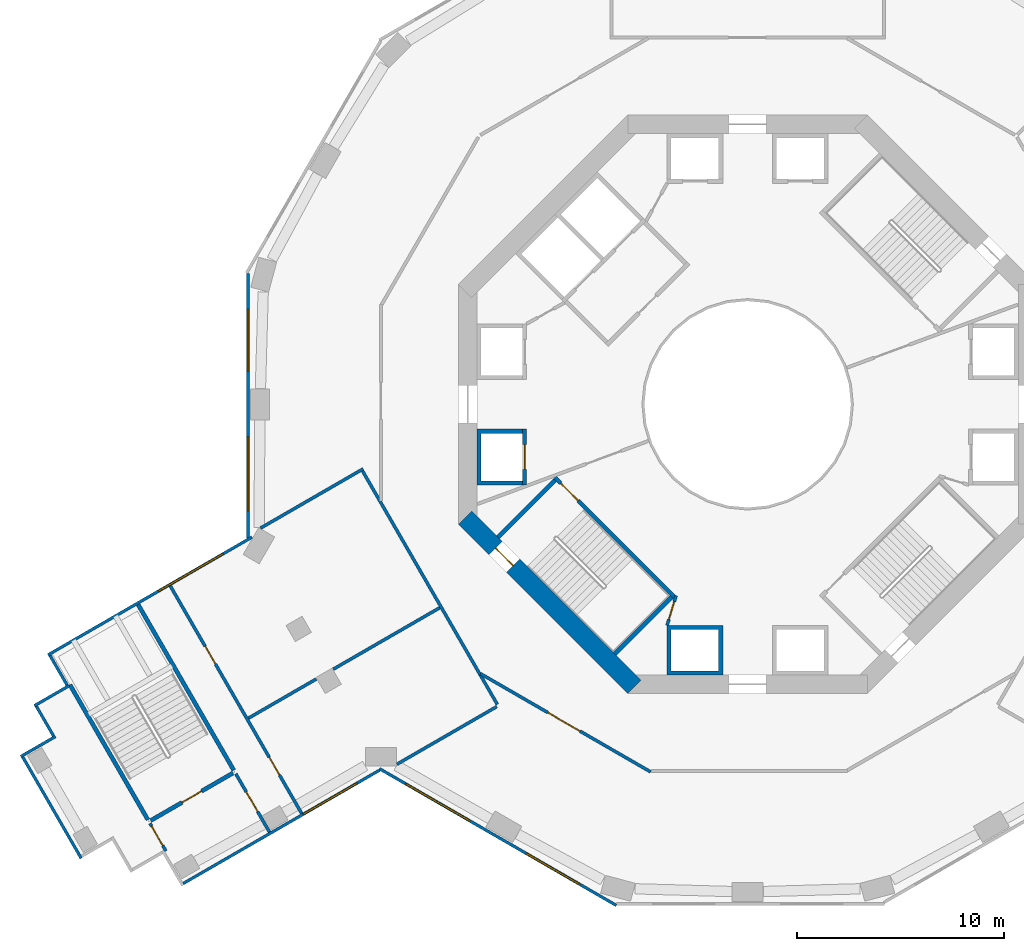
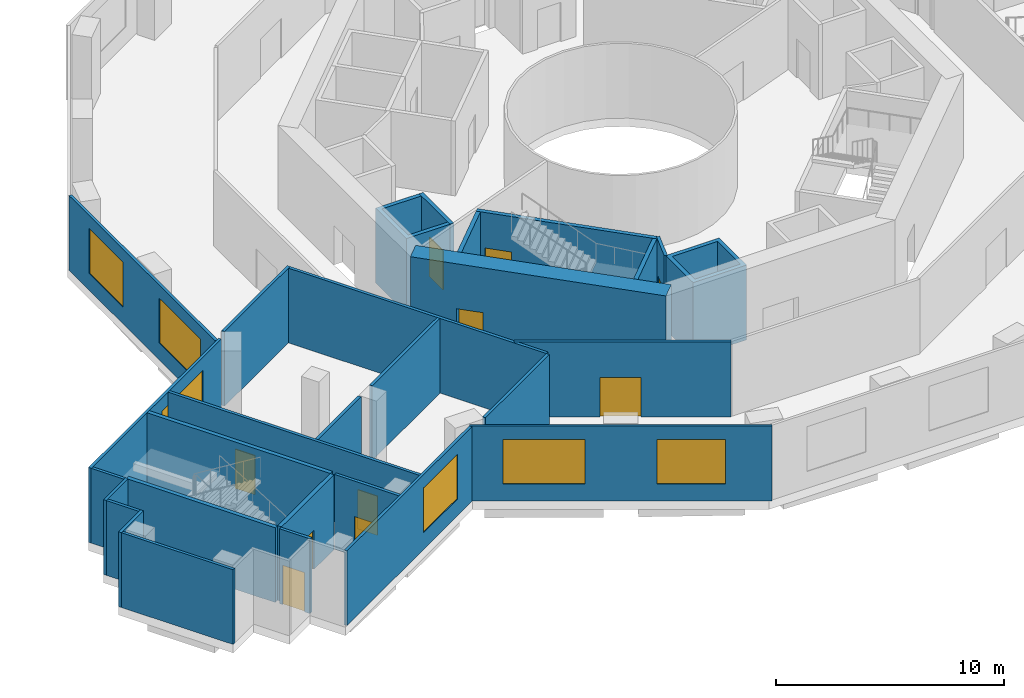
# One storey, part 3 of 20: 29 walls, 10 doors, 6 windows, 16 openings.
"""IFC4 building model written with IfcOpenShell, lengths in metres."""

from ifc_helpers import new_model, si_unit, direction, frame, frame_2d, origin, place, context, subcontext, project, spatial, polyline, rectangle, outline, extrude, material, layer, layer_set, type_object, element, fill, save


model = new_model("IFC4")

# Units and contexts
model_context = context("Model", 3, precision=1e-05, world=origin(), true_north=direction((0.0, 1.0)))
body_context = subcontext(model_context, "Body", "Model", "MODEL_VIEW")
ifc_project = project(units=[si_unit("LENGTHUNIT", "METRE"), si_unit("AREAUNIT", "SQUARE_METRE"), si_unit("VOLUMEUNIT", "CUBIC_METRE"), si_unit("PLANEANGLEUNIT", "RADIAN"), si_unit("MASSUNIT", "GRAM", prefix="KILO")], contexts=[model_context])

# Site, building, storey
site_placement = place(None, origin())
site = spatial("IfcSite", under=ifc_project, at=site_placement, CompositionType="ELEMENT")
building_placement = place(site_placement, origin())
building = spatial("IfcBuilding", under=site, at=building_placement, Name="Verdalira Terraces Hotel", CompositionType="ELEMENT")
storey_placement = place(building_placement, frame((0.0, 0.0, 23.5)))
storey = spatial("IfcBuildingStorey", under=building, at=storey_placement, Name="L04", CompositionType="ELEMENT", Elevation=23.5)

# Wall
ifc_material_1 = material(Name="Concrete C50", Category="concrete")
ifc_layer_1 = layer(ifc_material_1, 0.199951171875)
ifc_layer_set_1 = layer_set([ifc_layer_1], Name="Core RC wall 200 C50")
wall_type_1 = type_object("IfcWallType", Name="Core RC wall 200 C50", PredefinedType="SOLIDWALL", material=ifc_layer_set_1)
wall_1_placement = place(storey_placement, origin())
element("IfcWall", 1, at=wall_1_placement, inside=storey, type_object=wall_type_1, Name="L04 shaft wall W2", PredefinedType="SOLIDWALL", context=body_context, shape_type="SweptSolid", body=[
    extrude(outline(polyline([(-13.100098, -3.899902), (-13.100098, -1.199951), (-10.899902, -1.199951), (-10.899902, -1.399902), (-12.899902, -1.399902), (-12.899902, -3.699951), (-10.899902, -3.699951), (-10.899902, -3.899902), (-13.100098, -3.899902)])), origin(), (0.0, 0.0, 1.0), 4.0),
])

# Wall, opening, door
wall_2_placement = place(storey_placement, frame((-10.800049, -1.199951, 0.0), z_axis=(0.0, 0.0, 1.0), x_axis=(0.0, -1.0, 0.0)))
wall_2 = element("IfcWall", 2, at=wall_2_placement, inside=storey, type_object=wall_type_1, Name="L04 shaft front wall W2", PredefinedType="SOLIDWALL", context=body_context, shape_type="SweptSolid", body=[
    extrude(rectangle(XDim=2.699951, YDim=0.199951, at=frame_2d((1.350098, 0.0))), origin(), (0.0, 0.0, 1.0), 4.0),
])
opening_1_placement = place(wall_2_placement, frame((0.75, 0.0, 0.0)))
opening_1 = element("IfcOpeningElement", 3, at=opening_1_placement, cuts=wall_2, Name="Opening LD-L04-806", PredefinedType="OPENING", context=body_context, shape_type="SweptSolid", body=[
    extrude(rectangle(XDim=1.199951, YDim=2.100098, at=frame_2d((0.600098, 1.050049))), frame((0.0, 0.109863, 0.0), z_axis=(0.0, -1.0, 0.0), x_axis=(1.0, 0.0, 0.0)), (0.0, 0.0, 1.0), 0.219971),
])
ifc_material_2 = material(Name="Stainless steel", Category="steel")
door_type_1 = type_object("IfcDoorType", Name="Landing door 1200 x 2100", OperationType="NOTDEFINED", PredefinedType="DOOR", material=ifc_material_2)
door_1_placement = place(opening_1_placement, origin())
door_1 = element("IfcDoor", 4, at=door_1_placement, inside=storey, type_object=door_type_1, Name="Lift landing door LR6 L04", OperationType="DOUBLE_DOOR_SLIDING", OverallHeight=2.10009765625, OverallWidth=1.199951171875, PredefinedType="DOOR", context=body_context, shape_type="SweptSolid", body=[
    extrude(rectangle(XDim=1.199951, YDim=2.100098, at=frame_2d((0.600098, 1.050049))), frame((0.0, 0.024902, 0.0), z_axis=(0.0, -1.0, 0.0), x_axis=(1.0, 0.0, 0.0)), (0.0, 0.0, 1.0), 0.050049),
])
fill(opening_1, door_1)

# Wall
wall_3_placement = place(storey_placement, origin())
element("IfcWall", 5, at=wall_3_placement, inside=storey, type_object=wall_type_1, Name="L04 shaft wall S1", PredefinedType="SOLIDWALL", context=body_context, shape_type="SweptSolid", body=[
    extrude(outline(polyline([(-1.199951, -13.100098), (-3.899902, -13.100098), (-3.899902, -10.699951), (-1.199951, -10.699951), (-1.199951, -13.100098)]), holes=[polyline([(-3.699951, -10.899902), (-3.699951, -12.899902), (-1.399902, -12.899902), (-1.399902, -10.899902), (-3.699951, -10.899902)])]), origin(), (0.0, 0.0, 1.0), 4.0),
])

# Wall, opening, door
wall_4_placement = place(storey_placement, frame((-3.5354, -9.33374, 0.0), z_axis=(0.0, 0.0, 1.0), x_axis=(-0.707106781, 0.707106781, 0.0)))
wall_4 = element("IfcWall", 6, at=wall_4_placement, inside=storey, type_object=wall_type_1, Name="L04 stair ST2 front wall", PredefinedType="SOLIDWALL", context=body_context, shape_type="SweptSolid", body=[
    extrude(rectangle(XDim=8.200195, YDim=0.199951, at=frame_2d((4.100098, 0.0))), origin(), (0.0, 0.0, 1.0), 4.0),
])
opening_2_placement = place(wall_4_placement, frame((6.600098, 0.0, 0.0)))
opening_2 = element("IfcOpeningElement", 7, at=opening_2_placement, cuts=wall_4, Name="Opening L04-810", PredefinedType="OPENING", context=body_context, shape_type="SweptSolid", body=[
    extrude(rectangle(XDim=1.199951, YDim=2.100098, at=frame_2d((0.600098, 1.050049))), frame((0.0, 0.109863, 0.0), z_axis=(0.0, -1.0, 0.0), x_axis=(1.0, 0.0, 0.0)), (0.0, 0.0, 1.0), 0.219971),
])
ifc_material_3 = material(Name="Steel fire door", Category="steel")
door_type_2 = type_object("IfcDoorType", Name="Stair door 1200 x 2100", OperationType="NOTDEFINED", PredefinedType="DOOR", material=ifc_material_3)
door_2_placement = place(opening_2_placement, origin())
door_2 = element("IfcDoor", 8, at=door_2_placement, inside=storey, type_object=door_type_2, Name="Stair door ST2 L04", OperationType="SINGLE_SWING_RIGHT", OverallHeight=2.10009765625, OverallWidth=1.199951171875, PredefinedType="DOOR", context=body_context, shape_type="SweptSolid", body=[
    extrude(rectangle(XDim=1.199951, YDim=2.100098, at=frame_2d((0.600098, 1.050049))), frame((0.0, 0.024902, 0.0), z_axis=(0.0, -1.0, 0.0), x_axis=(1.0, 0.0, 0.0)), (0.0, 0.0, 1.0), 0.050049),
])
fill(opening_2, door_2)

# Walls
for number, where, z_axis, x_axis, name in (
    (9, (-9.33374, -3.677002, 0.0), (0.0, 0.0, 1.0), (-0.707106781, -0.707106781, 0.0), "L04 stair ST2 end wall 1"),
    (10, (-3.677002, -9.33374, 0.0), (0.0, 0.0, 1.0), (-0.707106781, -0.707106781, 0.0), "L04 stair ST2 end wall 2"),
):
    element("IfcWall", number, at=place(storey_placement, frame(where, z_axis=z_axis, x_axis=x_axis)), inside=storey, type_object=wall_type_1, Name=name, PredefinedType="SOLIDWALL", context=body_context, shape_type="SweptSolid", body=[
        extrude(rectangle(XDim=3.900146, YDim=0.199951, at=frame_2d((1.950195, 0.0))), origin(), (0.0, 0.0, 1.0), 4.0),
    ])

# Wall, opening, door
ifc_material_4 = material(Name="Gypsum board partition")
ifc_layer_2 = layer(ifc_material_4, 0.14990234375)
ifc_layer_set_2 = layer_set([ifc_layer_2], Name="Core partition 150 mm")
wall_type_2 = type_object("IfcWallType", Name="Core partition 150 mm", PredefinedType="PARTITIONING", material=ifc_layer_set_2)
wall_5_placement = place(storey_placement, frame((-3.464844, -9.263184, 0.0), z_axis=(0.0, 0.0, 1.0), x_axis=(-0.289808785, -0.957084567, 0.0)))
wall_5 = element("IfcWall", 11, at=wall_5_placement, inside=storey, type_object=wall_type_2, Name="Room partition L04", PredefinedType="PARTITIONING", context=body_context, shape_type="SweptSolid", body=[
    extrude(rectangle(XDim=1.501221, YDim=0.149902, at=frame_2d((0.750488, 0.0))), origin(), (0.0, 0.0, 1.0), 4.0),
])
opening_3_placement = place(wall_5_placement, frame((0.300781, 0.0, 0.0)))
opening_3 = element("IfcOpeningElement", 12, at=opening_3_placement, cuts=wall_5, Name="Opening L04-822", PredefinedType="OPENING", context=body_context, shape_type="SweptSolid", body=[
    extrude(rectangle(XDim=0.899902, YDim=2.100098, at=frame_2d((0.449951, 1.050049))), frame((0.0, 0.084961, 0.0), z_axis=(0.0, -1.0, 0.0), x_axis=(1.0, 0.0, 0.0)), (0.0, 0.0, 1.0), 0.169922),
])
ifc_material_5 = material(Name="Steel fire door", Category="steel")
door_type_3 = type_object("IfcDoorType", Name="Core room door 900 x 2100", OperationType="NOTDEFINED", PredefinedType="DOOR", material=ifc_material_5)
door_3_placement = place(opening_3_placement, origin())
door_3 = element("IfcDoor", 13, at=door_3_placement, inside=storey, type_object=door_type_3, Name="Door L04 room5", OperationType="SINGLE_SWING_LEFT", OverallHeight=2.10009765625, OverallWidth=0.89990234375, PredefinedType="DOOR", context=body_context, shape_type="SweptSolid", body=[
    extrude(rectangle(XDim=0.899902, YDim=2.100098, at=frame_2d((0.449951, 1.050049))), frame((0.0, 0.024902, 0.0), z_axis=(0.0, -1.0, 0.0), x_axis=(1.0, 0.0, 0.0)), (0.0, 0.0, 1.0), 0.050049),
])
fill(opening_3, door_3)

ifc_material_6 = material(Name="Concrete C70", Category="concrete")
ifc_layer_3 = layer(ifc_material_6, 0.89990234375)
ifc_layer_set_3 = layer_set([ifc_layer_3], Name="Core wall 900 C70")
wall_type_3 = type_object("IfcWallType", Name="Core wall 900 C70", PredefinedType="SHEAR", material=ifc_layer_set_3)
wall_6_placement = place(storey_placement, frame((-13.681885, -5.480713, 0.0), z_axis=(0.0, 0.0, 1.0), x_axis=(0.707106781, -0.707106781, 0.0)))
wall_6 = element("IfcWall", 14, at=wall_6_placement, inside=storey, type_object=wall_type_3, Name="Core wall CW-L04-6", PredefinedType="SHEAR", context=body_context, shape_type="SweptSolid", body=[
    extrude(rectangle(XDim=11.598145, YDim=0.899902, at=frame_2d((5.799072, 0.0))), origin(), (0.0, 0.0, 1.0), 4.5),
])
opening_4_placement = place(wall_6_placement, frame((2.099121, 0.0, 0.0)))
opening_4 = element("IfcOpeningElement", 15, at=opening_4_placement, cuts=wall_6, Name="Opening L04-817", PredefinedType="OPENING", context=body_context, shape_type="SweptSolid", body=[
    extrude(rectangle(XDim=1.199951, YDim=2.100098, at=frame_2d((0.600098, 1.050049))), frame((0.0, 0.459961, 0.0), z_axis=(0.0, -1.0, 0.0), x_axis=(1.0, 0.0, 0.0)), (0.0, 0.0, 1.0), 0.919922),
])
door_4_placement = place(opening_4_placement, origin())
door_4 = element("IfcDoor", 16, at=door_4_placement, inside=storey, type_object=door_type_2, Name="Stair exit door ST2 L04", OperationType="SINGLE_SWING_LEFT", OverallHeight=2.10009765625, OverallWidth=1.199951171875, PredefinedType="DOOR", context=body_context, shape_type="SweptSolid", body=[
    extrude(rectangle(XDim=1.199951, YDim=2.100098, at=frame_2d((0.600098, 1.050049))), frame((0.0, 0.024902, 0.0), z_axis=(0.0, -1.0, 0.0), x_axis=(1.0, 0.0, 0.0)), (0.0, 0.0, 1.0), 0.050049),
])
fill(opening_4, door_4)

ifc_material_7 = material(Name="Gypsum board partition on steel stud", Category="steel")
ifc_layer_4 = layer(ifc_material_7, 0.14990234375)
ifc_layer_set_4 = layer_set([ifc_layer_4], Name="Fire-rated partition 150 mm")
wall_type_4 = type_object("IfcWallType", Name="Fire-rated partition 150 mm", PredefinedType="PARTITIONING", material=ifc_layer_set_4)
wall_7_placement = place(storey_placement, frame((-28.161621, -21.622803, 0.0), z_axis=(0.0, 0.0, 1.0), x_axis=(-0.499877454, 0.866096144, 0.0)))
wall_7 = element("IfcWall", 17, at=wall_7_placement, inside=storey, type_object=wall_type_4, Name="Partition", PredefinedType="PARTITIONING", context=body_context, shape_type="SweptSolid", body=[
    extrude(rectangle(XDim=1.54541, YDim=0.149902, at=frame_2d((0.772705, 0.0))), origin(), (0.0, 0.0, 1.0), 4.0),
])
opening_5_placement = place(wall_7_placement, frame((0.29541, 0.0, 0.0)))
opening_5 = element("IfcOpeningElement", 18, at=opening_5_placement, cuts=wall_7, Name="Opening L04-D01", PredefinedType="OPENING", context=body_context, shape_type="SweptSolid", body=[
    extrude(rectangle(XDim=1.100098, YDim=2.100098, at=frame_2d((0.550049, 1.050049))), frame((0.0, 0.084961, 0.0), z_axis=(0.0, -1.0, 0.0), x_axis=(1.0, 0.0, 0.0)), (0.0, 0.0, 1.0), 0.169922),
])
ifc_material_8 = material(Name="Steel fire door", Category="steel")
door_type_4 = type_object("IfcDoorType", Name="Stair door 1100 x 2100", OperationType="SINGLE_SWING_LEFT", PredefinedType="DOOR", material=ifc_material_8)
door_5_placement = place(opening_5_placement, origin())
door_5 = element("IfcDoor", 19, at=door_5_placement, inside=storey, type_object=door_type_4, Name="Stair door Stair vestibule PS2", OperationType="SINGLE_SWING_LEFT", OverallHeight=2.10009765625, OverallWidth=1.10009765625, PredefinedType="DOOR", context=body_context, shape_type="SweptSolid", body=[
    extrude(rectangle(XDim=1.100098, YDim=2.100098, at=frame_2d((0.550049, 1.050049))), frame((0.0, 0.024902, 0.0), z_axis=(0.0, -1.0, 0.0), x_axis=(1.0, 0.0, 0.0)), (0.0, 0.0, 1.0), 0.050049),
])
fill(opening_5, door_5)

wall_8_placement = place(storey_placement, frame((-24.777344, -17.884521, 0.0), z_axis=(0.0, 0.0, 1.0), x_axis=(0.499996863, -0.866027215, 0.0)))
wall_8 = element("IfcWall", 20, at=wall_8_placement, inside=storey, type_object=wall_type_4, Name="Partition", PredefinedType="PARTITIONING", context=body_context, shape_type="SweptSolid", body=[
    extrude(rectangle(XDim=3.260254, YDim=0.149902, at=frame_2d((1.630127, 0.0))), origin(), (0.0, 0.0, 1.0), 4.0),
])
opening_6_placement = place(wall_8_placement, frame((1.010254, 0.0, 0.0)))
opening_6 = element("IfcOpeningElement", 21, at=opening_6_placement, cuts=wall_8, Name="Opening L04-D03", PredefinedType="OPENING", context=body_context, shape_type="SweptSolid", body=[
    extrude(rectangle(XDim=1.100098, YDim=2.100098, at=frame_2d((0.550049, 1.050049))), frame((0.0, 0.084961, 0.0), z_axis=(0.0, -1.0, 0.0), x_axis=(1.0, 0.0, 0.0)), (0.0, 0.0, 1.0), 0.169922),
])
door_6_placement = place(opening_6_placement, origin())
door_6 = element("IfcDoor", 22, at=door_6_placement, inside=storey, type_object=door_type_4, Name="Stair door Stair approach corridor", OperationType="SINGLE_SWING_LEFT", OverallHeight=2.10009765625, OverallWidth=1.10009765625, PredefinedType="DOOR", context=body_context, shape_type="SweptSolid", body=[
    extrude(rectangle(XDim=1.100098, YDim=2.100098, at=frame_2d((0.550049, 1.050049))), frame((0.0, 0.024902, 0.0), z_axis=(0.0, -1.0, 0.0), x_axis=(1.0, 0.0, 0.0)), (0.0, 0.0, 1.0), 0.050049),
])
fill(opening_6, door_6)

# Wall, openings, doors
wall_9_placement = place(storey_placement, frame((-27.948242, -8.791992, 0.0), z_axis=(0.0, 0.0, 1.0), x_axis=(0.499991053, -0.866030569, 0.0)))
wall_9 = element("IfcWall", 23, at=wall_9_placement, inside=storey, type_object=wall_type_4, Name="Partition", PredefinedType="PARTITIONING", context=body_context, shape_type="SweptSolid", body=[
    extrude(rectangle(XDim=12.719971, YDim=0.149902, at=frame_2d((6.359863, 0.0))), origin(), (0.0, 0.0, 1.0), 4.0),
])
opening_7_placement = place(wall_9_placement, frame((9.570068, 0.0, 0.0)))
opening_7 = element("IfcOpeningElement", 24, at=opening_7_placement, cuts=wall_9, Name="Opening L04-D04", PredefinedType="OPENING", context=body_context, shape_type="SweptSolid", body=[
    extrude(rectangle(XDim=1.0, YDim=2.100098, at=frame_2d((0.5, 1.050049))), frame((0.0, 0.084961, 0.0), z_axis=(0.0, -1.0, 0.0), x_axis=(1.0, 0.0, 0.0)), (0.0, 0.0, 1.0), 0.169922),
])
opening_8_placement = place(wall_9_placement, frame((3.370117, 0.0, 0.0)))
opening_8 = element("IfcOpeningElement", 25, at=opening_8_placement, cuts=wall_9, Name="Opening L04-D05", PredefinedType="OPENING", context=body_context, shape_type="SweptSolid", body=[
    extrude(rectangle(XDim=1.0, YDim=2.100098, at=frame_2d((0.5, 1.050049))), frame((0.0, 0.084961, 0.0), z_axis=(0.0, -1.0, 0.0), x_axis=(1.0, 0.0, 0.0)), (0.0, 0.0, 1.0), 0.169922),
])
ifc_material_9 = material(Name="Steel fire door", Category="steel")
door_type_5 = type_object("IfcDoorType", Name="Fire door 1000 x 2100", OperationType="SINGLE_SWING_LEFT", PredefinedType="DOOR", material=ifc_material_9)
door_7_placement = place(opening_7_placement, origin())
door_7 = element("IfcDoor", 26, at=door_7_placement, inside=storey, type_object=door_type_5, Name="Treatment room 401 door", OperationType="SINGLE_SWING_RIGHT", OverallHeight=2.10009765625, OverallWidth=1.0, PredefinedType="DOOR", context=body_context, shape_type="SweptSolid", body=[
    extrude(rectangle(XDim=1.0, YDim=2.100098, at=frame_2d((0.5, 1.050049))), frame((0.0, 0.024902, 0.0), z_axis=(0.0, -1.0, 0.0), x_axis=(1.0, 0.0, 0.0)), (0.0, 0.0, 1.0), 0.050049),
])
fill(opening_7, door_7)
door_8_placement = place(opening_8_placement, origin())
door_8 = element("IfcDoor", 27, at=door_8_placement, inside=storey, type_object=door_type_5, Name="Treatment room 402 door", OperationType="SINGLE_SWING_LEFT", OverallHeight=2.10009765625, OverallWidth=1.0, PredefinedType="DOOR", context=body_context, shape_type="SweptSolid", body=[
    extrude(rectangle(XDim=1.0, YDim=2.100098, at=frame_2d((0.5, 1.050049))), frame((0.0, 0.024902, 0.0), z_axis=(0.0, -1.0, 0.0), x_axis=(1.0, 0.0, 0.0)), (0.0, 0.0, 1.0), 0.050049),
])
fill(opening_8, door_8)

# Walls
wall_10_placement = place(storey_placement, frame((-18.614258, -3.125977, 0.0), z_axis=(0.0, 0.0, 1.0), x_axis=(-0.866030255, -0.499991598, 0.0)))
element("IfcWall", 28, at=wall_10_placement, inside=storey, type_object=wall_type_4, Name="Partition", PredefinedType="PARTITIONING", context=body_context, shape_type="SweptSolid", body=[
    extrude(rectangle(XDim=5.731934, YDim=0.149902, at=frame_2d((2.865967, 0.0))), origin(), (0.0, 0.0, 1.0), 4.0),
])
wall_11_placement = place(storey_placement, frame((-18.641602, -3.228271, 0.0), z_axis=(0.0, 0.0, 1.0), x_axis=(0.499998298, -0.866026387, 0.0)))
element("IfcWall", 29, at=wall_11_placement, inside=storey, type_object=wall_type_4, Name="Partition", PredefinedType="PARTITIONING", context=body_context, shape_type="SweptSolid", body=[
    extrude(rectangle(XDim=13.049805, YDim=0.149902, at=frame_2d((6.524902, 0.0))), origin(), (0.0, 0.0, 1.0), 4.0),
])
wall_12_placement = place(storey_placement, frame((-16.978271, -17.423584, 0.0), z_axis=(0.0, 0.0, 1.0), x_axis=(0.866016603, 0.500015243, 0.0)))
element("IfcWall", 30, at=wall_12_placement, inside=storey, type_object=wall_type_4, Name="Partition", PredefinedType="PARTITIONING", context=body_context, shape_type="SweptSolid", body=[
    extrude(rectangle(XDim=5.581787, YDim=0.149902, at=frame_2d((2.791016, 0.0))), origin(), (0.0, 0.0, 1.0), 4.0),
])
wall_13_placement = place(storey_placement, frame((-20.886475, -13.300049, 0.0), z_axis=(0.0, 0.0, 1.0), x_axis=(-0.866012734, -0.500021944, 0.0)))
element("IfcWall", 31, at=wall_13_placement, inside=storey, type_object=wall_type_4, Name="Partition", PredefinedType="PARTITIONING", context=body_context, shape_type="SweptSolid", body=[
    extrude(rectangle(XDim=3.786865, YDim=0.149902, at=frame_2d((1.893555, 0.0))), origin(), (0.0, 0.0, 1.0), 4.0),
])
wall_14_placement = place(storey_placement, frame((-14.906494, -9.847656, 0.0), z_axis=(0.0, 0.0, 1.0), x_axis=(-0.866038559, -0.499977214, 0.0)))
element("IfcWall", 32, at=wall_14_placement, inside=storey, type_object=wall_type_4, Name="Partition", PredefinedType="PARTITIONING", context=body_context, shape_type="SweptSolid", body=[
    extrude(rectangle(XDim=5.945068, YDim=0.149902, at=frame_2d((2.972656, 0.0))), origin(), (0.0, 0.0, 1.0), 4.0),
])

# Wall, opening, door
wall_15_placement = place(storey_placement, frame((-12.935059, -13.037598, 0.0), z_axis=(0.0, 0.0, 1.0), x_axis=(0.866027519, -0.499996337, 0.0)))
wall_15 = element("IfcWall", 33, at=wall_15_placement, inside=storey, type_object=wall_type_4, Name="Partition", PredefinedType="PARTITIONING", context=body_context, shape_type="SweptSolid", body=[
    extrude(rectangle(XDim=9.516602, YDim=0.149902, at=frame_2d((4.758301, 0.0))), origin(), (0.0, 0.0, 1.0), 4.0),
])
opening_9_placement = place(wall_15_placement, frame((3.766602, 0.0, 0.0)))
opening_9 = element("IfcOpeningElement", 34, at=opening_9_placement, cuts=wall_15, Name="Opening L04-D11", PredefinedType="OPENING", context=body_context, shape_type="SweptSolid", body=[
    extrude(rectangle(XDim=1.800049, YDim=2.100098, at=frame_2d((0.899902, 1.050049))), frame((0.0, 0.084961, 0.0), z_axis=(0.0, -1.0, 0.0), x_axis=(1.0, 0.0, 0.0)), (0.0, 0.0, 1.0), 0.169922),
])
ifc_material_10 = material(Name="Steel fire door", Category="steel")
door_type_6 = type_object("IfcDoorType", Name="Fire door pair 1800 x 2100", OperationType="DOUBLE_DOOR_SINGLE_SWING", PredefinedType="DOOR", material=ifc_material_10)
door_9_placement = place(opening_9_placement, origin())
door_9 = element("IfcDoor", 35, at=door_9_placement, inside=storey, type_object=door_type_6, Name="Ring corridor door", OperationType="DOUBLE_DOOR_SINGLE_SWING", OverallHeight=2.10009765625, OverallWidth=1.800048828125, PredefinedType="DOOR", context=body_context, shape_type="SweptSolid", body=[
    extrude(rectangle(XDim=1.800049, YDim=2.100098, at=frame_2d((0.899902, 1.050049))), frame((0.0, 0.024902, 0.0), z_axis=(0.0, -1.0, 0.0), x_axis=(1.0, 0.0, 0.0)), (0.0, 0.0, 1.0), 0.050049),
])
fill(opening_9, door_9)

# Wall
ifc_material_11 = material(Name="Concrete C50", Category="concrete")
ifc_layer_5 = layer(ifc_material_11, 0.199951171875)
ifc_layer_set_5 = layer_set([ifc_layer_5], Name="Stair enclosure wall 200 mm")
wall_type_5 = type_object("IfcWallType", Name="Stair enclosure wall 200 mm", PredefinedType="SOLIDWALL", material=ifc_layer_set_5)
wall_16_placement = place(storey_placement, frame((-32.806641, -13.577148, 0.0), z_axis=(0.0, 0.0, 1.0), x_axis=(0.50000534, -0.866022321, 0.0)))
element("IfcWall", 36, at=wall_16_placement, inside=storey, type_object=wall_type_5, Name="Stair enclosure wall", PredefinedType="SOLIDWALL", context=body_context, shape_type="SweptSolid", body=[
    extrude(rectangle(XDim=7.54541, YDim=0.199951, at=frame_2d((3.772705, 0.0))), origin(), (0.0, 0.0, 1.0), 4.0),
])

# Wall, opening, door
wall_17_placement = place(storey_placement, frame((-24.913818, -17.848145, 0.0), z_axis=(0.0, 0.0, 1.0), x_axis=(-0.86601677, -0.500014953, 0.0)))
wall_17 = element("IfcWall", 37, at=wall_17_placement, inside=storey, type_object=wall_type_5, Name="Stair enclosure wall", PredefinedType="SOLIDWALL", context=body_context, shape_type="SweptSolid", body=[
    extrude(rectangle(XDim=4.599854, YDim=0.199951, at=frame_2d((2.299805, 0.0))), origin(), (0.0, 0.0, 1.0), 4.0),
])
opening_10_placement = place(wall_17_placement, frame((1.75, 0.0, 0.0)))
opening_10 = element("IfcOpeningElement", 38, at=opening_10_placement, cuts=wall_17, Name="Opening L04-D02", PredefinedType="OPENING", context=body_context, shape_type="SweptSolid", body=[
    extrude(rectangle(XDim=1.100098, YDim=2.100098, at=frame_2d((0.550049, 1.050049))), frame((0.0, 0.109863, 0.0), z_axis=(0.0, -1.0, 0.0), x_axis=(1.0, 0.0, 0.0)), (0.0, 0.0, 1.0), 0.219971),
])
door_10_placement = place(opening_10_placement, origin())
door_10 = element("IfcDoor", 39, at=door_10_placement, inside=storey, type_object=door_type_4, Name="Stair door Stair lobby PS2", OperationType="SINGLE_SWING_RIGHT", OverallHeight=2.10009765625, OverallWidth=1.10009765625, PredefinedType="DOOR", context=body_context, shape_type="SweptSolid", body=[
    extrude(rectangle(XDim=1.100098, YDim=2.100098, at=frame_2d((0.550049, 1.050049))), frame((0.0, 0.024902, 0.0), z_axis=(0.0, -1.0, 0.0), x_axis=(1.0, 0.0, 0.0)), (0.0, 0.0, 1.0), 0.050049),
])
fill(opening_10, door_10)

# Wall
wall_18_placement = place(storey_placement, frame((-24.877197, -17.71167, 0.0), z_axis=(0.0, 0.0, 1.0), x_axis=(-0.499984148, 0.866034555, 0.0)))
element("IfcWall", 40, at=wall_18_placement, inside=storey, type_object=wall_type_5, Name="Stair enclosure wall", PredefinedType="SOLIDWALL", context=body_context, shape_type="SweptSolid", body=[
    extrude(rectangle(XDim=9.26001, YDim=0.199951, at=frame_2d((4.629883, 0.0))), origin(), (0.0, 0.0, 1.0), 4.0),
])

# Wall, opening, window
ifc_material_12 = material(Name="Concrete C40", Category="concrete")
ifc_layer_6 = layer(ifc_material_12, 0.139892578125)
ifc_layer_set_6 = layer_set([ifc_layer_6], Name="Terracotta clad concrete wall C40 140 mm")
wall_type_6 = type_object("IfcWallType", Name="Terracotta clad concrete wall C40 140 mm", PredefinedType="SOLIDWALL", material=ifc_layer_set_6)
wall_19_placement = place(storey_placement, frame((-23.995361, -6.428955, 0.0), z_axis=(0.0, 0.0, 1.0), x_axis=(-0.866018753, -0.500011519, 0.0)))
wall_19 = element("IfcWall", 41, at=wall_19_placement, inside=storey, type_object=wall_type_6, Name="Podium facade wall", PredefinedType="SOLIDWALL", context=body_context, shape_type="SweptSolid", body=[
    extrude(rectangle(XDim=11.405029, YDim=0.139893, at=frame_2d((5.702637, 0.0))), origin(), (0.0, 0.0, 1.0), 4.0),
])
opening_11_placement = place(wall_19_placement, frame((1.623047, 0.0, 0.899902)))
opening_11 = element("IfcOpeningElement", 42, at=opening_11_placement, cuts=wall_19, Name="Opening WP", PredefinedType="OPENING", context=body_context, shape_type="SweptSolid", body=[
    extrude(rectangle(XDim=3.600098, YDim=2.399902, at=frame_2d((1.800049, 1.199951))), frame((0.0, 0.079834, 0.0), z_axis=(0.0, -1.0, 0.0), x_axis=(1.0, 0.0, 0.0)), (0.0, 0.0, 1.0), 0.159912),
])
ifc_material_13 = material(Name="Clear double glazing in aluminium frame", Category="aluminium")
window_type_1 = type_object("IfcWindowType", Name="Podium window 3600 x 2400", PartitioningType="SINGLE_PANEL", PredefinedType="WINDOW", material=ifc_material_13)
window_1_placement = place(opening_11_placement, origin())
window_1 = element("IfcWindow", 43, at=window_1_placement, inside=storey, type_object=window_type_1, Name="Podium window", OverallHeight=2.39990234375, OverallWidth=3.60009765625, PartitioningType="SINGLE_PANEL", PredefinedType="WINDOW", context=body_context, shape_type="SweptSolid", body=[
    extrude(rectangle(XDim=3.600098, YDim=2.399902, at=frame_2d((1.800049, 1.199951))), frame((0.0, 0.030029, 0.0), z_axis=(0.0, -1.0, 0.0), x_axis=(1.0, 0.0, 0.0)), (0.0, 0.0, 1.0), 0.060059),
])
fill(opening_11, window_1)

# Walls
wall_20_placement = place(storey_placement, frame((-33.776611, -12.156982, 0.0), z_axis=(0.0, 0.0, 1.0), x_axis=(0.499887958, -0.866090081, 0.0)))
element("IfcWall", 44, at=wall_20_placement, inside=storey, type_object=wall_type_6, Name="Podium facade wall", PredefinedType="SOLIDWALL", context=body_context, shape_type="SweptSolid", body=[
    extrude(rectangle(XDim=1.660156, YDim=0.139893, at=frame_2d((0.830078, 0.0))), origin(), (0.0, 0.0, 1.0), 4.0),
])
wall_21_placement = place(storey_placement, frame((-32.851074, -13.620361, 0.0), z_axis=(0.0, 0.0, 1.0), x_axis=(-0.866011627, -0.500023862, 0.0)))
element("IfcWall", 45, at=wall_21_placement, inside=storey, type_object=wall_type_6, Name="Podium facade wall", PredefinedType="SOLIDWALL", context=body_context, shape_type="SweptSolid", body=[
    extrude(rectangle(XDim=1.939941, YDim=0.139893, at=frame_2d((0.969971, 0.0))), origin(), (0.0, 0.0, 1.0), 4.0),
])

# Wall, openings, windows
ifc_material_14 = material(Name="Terracotta cladding on steel stud backup", Category="masonry")
ifc_layer_7 = layer(ifc_material_14, 0.139892578125)
ifc_layer_set_7 = layer_set([ifc_layer_7], Name="Terracotta clad wall 140 mm")
wall_type_7 = type_object("IfcWallType", Name="Terracotta clad wall 140 mm", PredefinedType="SOLIDWALL", material=ifc_layer_set_7)
wall_22_placement = place(storey_placement, frame((-24.188232, 6.341309, 0.0), z_axis=(0.0, 0.0, 1.0), x_axis=(0.0, -1.0, 0.0)))
wall_22 = element("IfcWall", 46, at=wall_22_placement, inside=storey, type_object=wall_type_7, Name="Podium facade wall", PredefinedType="SOLIDWALL", context=body_context, shape_type="SweptSolid", body=[
    extrude(rectangle(XDim=12.801025, YDim=0.139893, at=frame_2d((6.400391, 0.0))), origin(), (0.0, 0.0, 1.0), 4.0),
])
opening_12_placement = place(wall_22_placement, frame((1.747803, 0.0, 0.899902)))
opening_12 = element("IfcOpeningElement", 47, at=opening_12_placement, cuts=wall_22, Name="Opening WP", PredefinedType="OPENING", context=body_context, shape_type="SweptSolid", body=[
    extrude(rectangle(XDim=3.0, YDim=2.399902, at=frame_2d((1.5, 1.199951))), frame((0.0, 0.079834, 0.0), z_axis=(0.0, -1.0, 0.0), x_axis=(1.0, 0.0, 0.0)), (0.0, 0.0, 1.0), 0.159912),
])
opening_13_placement = place(wall_22_placement, frame((7.9021, 0.0, 0.899902)))
opening_13 = element("IfcOpeningElement", 48, at=opening_13_placement, cuts=wall_22, Name="Opening WP", PredefinedType="OPENING", context=body_context, shape_type="SweptSolid", body=[
    extrude(rectangle(XDim=3.600098, YDim=2.399902, at=frame_2d((1.800049, 1.199951))), frame((0.0, 0.079834, 0.0), z_axis=(0.0, -1.0, 0.0), x_axis=(1.0, 0.0, 0.0)), (0.0, 0.0, 1.0), 0.159912),
])
ifc_material_15 = material(Name="Clear double glazing in aluminium frame", Category="aluminium")
window_type_2 = type_object("IfcWindowType", Name="Podium window 3000 x 2400", PartitioningType="SINGLE_PANEL", PredefinedType="WINDOW", material=ifc_material_15)
window_2_placement = place(opening_12_placement, origin())
window_2 = element("IfcWindow", 49, at=window_2_placement, inside=storey, type_object=window_type_2, Name="Podium window", OverallHeight=2.39990234375, OverallWidth=3.0, PartitioningType="SINGLE_PANEL", PredefinedType="WINDOW", context=body_context, shape_type="SweptSolid", body=[
    extrude(rectangle(XDim=3.0, YDim=2.399902, at=frame_2d((1.5, 1.199951))), frame((0.0, 0.030029, 0.0), z_axis=(0.0, -1.0, 0.0), x_axis=(1.0, 0.0, 0.0)), (0.0, 0.0, 1.0), 0.060059),
])
fill(opening_12, window_2)
window_3_placement = place(opening_13_placement, origin())
window_3 = element("IfcWindow", 50, at=window_3_placement, inside=storey, type_object=window_type_1, Name="Podium window", OverallHeight=2.39990234375, OverallWidth=3.60009765625, PartitioningType="SINGLE_PANEL", PredefinedType="WINDOW", context=body_context, shape_type="SweptSolid", body=[
    extrude(rectangle(XDim=3.600098, YDim=2.399902, at=frame_2d((1.800049, 1.199951))), frame((0.0, 0.030029, 0.0), z_axis=(0.0, -1.0, 0.0), x_axis=(1.0, 0.0, 0.0)), (0.0, 0.0, 1.0), 0.060059),
])
fill(opening_13, window_3)

# Walls
wall_23_placement = place(storey_placement, frame((-34.435547, -14.615967, 0.0), z_axis=(0.0, 0.0, 1.0), x_axis=(0.500061949, -0.865989634, 0.0)))
element("IfcWall", 51, at=wall_23_placement, inside=storey, type_object=wall_type_7, Name="Podium facade wall", PredefinedType="SOLIDWALL", context=body_context, shape_type="SweptSolid", body=[
    extrude(rectangle(XDim=1.659912, YDim=0.139893, at=frame_2d((0.830078, 0.0))), origin(), (0.0, 0.0, 1.0), 4.0),
])
wall_24_placement = place(storey_placement, frame((-33.51001, -16.079102, 0.0), z_axis=(0.0, 0.0, 1.0), x_axis=(-0.866011627, -0.500023862, 0.0)))
element("IfcWall", 52, at=wall_24_placement, inside=storey, type_object=wall_type_7, Name="Podium facade wall", PredefinedType="SOLIDWALL", context=body_context, shape_type="SweptSolid", body=[
    extrude(rectangle(XDim=1.939941, YDim=0.139893, at=frame_2d((0.969971, 0.0))), origin(), (0.0, 0.0, 1.0), 4.0),
])
wall_25_placement = place(storey_placement, frame((-35.094482, -17.074707, 0.0), z_axis=(0.0, 0.0, 1.0), x_axis=(0.499998748, -0.866026127, 0.0)))
element("IfcWall", 53, at=wall_25_placement, inside=storey, type_object=wall_type_7, Name="Podium facade wall", PredefinedType="SOLIDWALL", context=body_context, shape_type="SweptSolid", body=[
    extrude(rectangle(XDim=5.660156, YDim=0.139893, at=frame_2d((2.830078, 0.0))), origin(), (0.0, 0.0, 1.0), 4.0),
])

# Wall, opening, window
wall_26_placement = place(storey_placement, frame((-27.321045, -23.198486, 0.0), z_axis=(0.0, 0.0, 1.0), x_axis=(0.866030546, 0.499991093, 0.0)))
wall_26 = element("IfcWall", 54, at=wall_26_placement, inside=storey, type_object=wall_type_7, Name="Podium facade wall", PredefinedType="SOLIDWALL", context=body_context, shape_type="SweptSolid", body=[
    extrude(rectangle(XDim=10.961182, YDim=0.139893, at=frame_2d((5.480469, 0.0))), origin(), (0.0, 0.0, 1.0), 4.0),
])
opening_14_placement = place(wall_26_placement, frame((6.702148, 0.0, 0.899902)))
opening_14 = element("IfcOpeningElement", 55, at=opening_14_placement, cuts=wall_26, Name="Opening WP", PredefinedType="OPENING", context=body_context, shape_type="SweptSolid", body=[
    extrude(rectangle(XDim=3.0, YDim=2.399902, at=frame_2d((1.5, 1.199951))), frame((0.0, 0.079834, 0.0), z_axis=(0.0, -1.0, 0.0), x_axis=(1.0, 0.0, 0.0)), (0.0, 0.0, 1.0), 0.159912),
])
window_4_placement = place(opening_14_placement, origin())
window_4 = element("IfcWindow", 56, at=window_4_placement, inside=storey, type_object=window_type_2, Name="Podium window", OverallHeight=2.39990234375, OverallWidth=3.0, PartitioningType="SINGLE_PANEL", PredefinedType="WINDOW", context=body_context, shape_type="SweptSolid", body=[
    extrude(rectangle(XDim=3.0, YDim=2.399902, at=frame_2d((1.5, 1.199951))), frame((0.0, 0.030029, 0.0), z_axis=(0.0, -1.0, 0.0), x_axis=(1.0, 0.0, 0.0)), (0.0, 0.0, 1.0), 0.060059),
])
fill(opening_14, window_4)

# Wall, openings, windows
wall_27_placement = place(storey_placement, frame((-17.828369, -17.637207, 0.0), z_axis=(0.0, 0.0, 1.0), x_axis=(0.866029009, -0.499993756, 0.0)))
wall_27 = element("IfcWall", 57, at=wall_27_placement, inside=storey, type_object=wall_type_7, Name="Podium facade wall", PredefinedType="SOLIDWALL", context=body_context, shape_type="SweptSolid", body=[
    extrude(rectangle(XDim=13.242432, YDim=0.139893, at=frame_2d((6.621094, 0.0))), origin(), (0.0, 0.0, 1.0), 4.0),
])
opening_15_placement = place(wall_27_placement, frame((1.460205, 0.0, 0.899902)))
opening_15 = element("IfcOpeningElement", 58, at=opening_15_placement, cuts=wall_27, Name="Opening WP", PredefinedType="OPENING", context=body_context, shape_type="SweptSolid", body=[
    extrude(rectangle(XDim=3.600098, YDim=2.399902, at=frame_2d((1.800049, 1.199951))), frame((0.0, 0.079834, 0.0), z_axis=(0.0, -1.0, 0.0), x_axis=(1.0, 0.0, 0.0)), (0.0, 0.0, 1.0), 0.159912),
])
opening_16_placement = place(wall_27_placement, frame((8.2146, 0.0, 0.899902)))
opening_16 = element("IfcOpeningElement", 59, at=opening_16_placement, cuts=wall_27, Name="Opening WP", PredefinedType="OPENING", context=body_context, shape_type="SweptSolid", body=[
    extrude(rectangle(XDim=3.0, YDim=2.399902, at=frame_2d((1.5, 1.199951))), frame((0.0, 0.079834, 0.0), z_axis=(0.0, -1.0, 0.0), x_axis=(1.0, 0.0, 0.0)), (0.0, 0.0, 1.0), 0.159912),
])
window_5_placement = place(opening_16_placement, origin())
window_5 = element("IfcWindow", 60, at=window_5_placement, inside=storey, type_object=window_type_2, Name="Podium window", OverallHeight=2.39990234375, OverallWidth=3.0, PartitioningType="SINGLE_PANEL", PredefinedType="WINDOW", context=body_context, shape_type="SweptSolid", body=[
    extrude(rectangle(XDim=3.0, YDim=2.399902, at=frame_2d((1.5, 1.199951))), frame((0.0, 0.030029, 0.0), z_axis=(0.0, -1.0, 0.0), x_axis=(1.0, 0.0, 0.0)), (0.0, 0.0, 1.0), 0.060059),
])
fill(opening_16, window_5)
window_6_placement = place(opening_15_placement, origin())
window_6 = element("IfcWindow", 61, at=window_6_placement, inside=storey, type_object=window_type_1, Name="Podium window", OverallHeight=2.39990234375, OverallWidth=3.60009765625, PartitioningType="SINGLE_PANEL", PredefinedType="WINDOW", context=body_context, shape_type="SweptSolid", body=[
    extrude(rectangle(XDim=3.600098, YDim=2.399902, at=frame_2d((1.800049, 1.199951))), frame((0.0, 0.030029, 0.0), z_axis=(0.0, -1.0, 0.0), x_axis=(1.0, 0.0, 0.0)), (0.0, 0.0, 1.0), 0.060059),
])
fill(opening_15, window_6)

save(model, "model.ifc")
